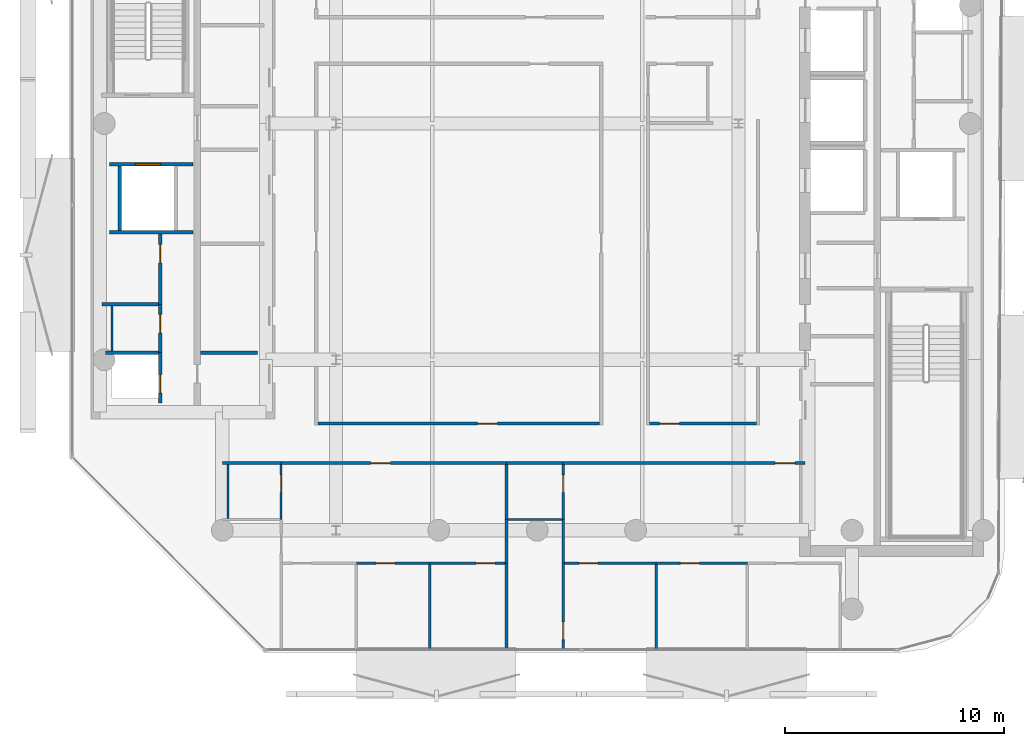
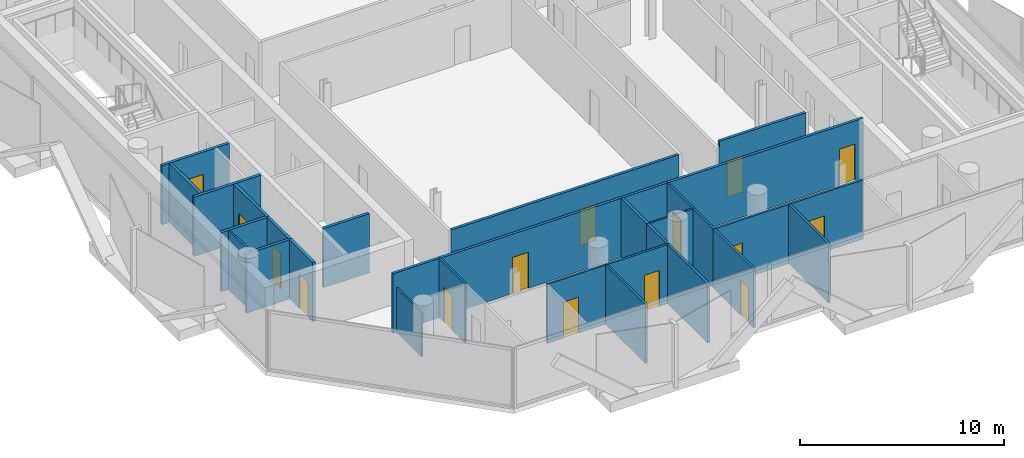
# One storey, part 4 of 17: 31 walls, 15 doors, 15 openings.
"""IFC4 building model written with IfcOpenShell, lengths in metres."""

from ifc_helpers import new_model, si_unit, direction, frame, frame_2d, origin, place, context, subcontext, project, spatial, rectangle, extrude, material, layer, layer_set, type_object, element, fill, save


model = new_model("IFC4")

# Units and contexts
model_context = context("Model", 3, precision=1e-05, world=origin(), true_north=direction((0.0, 1.0)))
body_context = subcontext(model_context, "Body", "Model", "MODEL_VIEW")
ifc_project = project(units=[si_unit("LENGTHUNIT", "METRE"), si_unit("AREAUNIT", "SQUARE_METRE"), si_unit("VOLUMEUNIT", "CUBIC_METRE"), si_unit("PLANEANGLEUNIT", "RADIAN"), si_unit("MASSUNIT", "GRAM", prefix="KILO")], contexts=[model_context])

# Site, building, storey
site_placement = place(None, origin())
site = spatial("IfcSite", under=ifc_project, at=site_placement, CompositionType="ELEMENT")
building_placement = place(site_placement, origin())
building = spatial("IfcBuilding", under=site, at=building_placement, Name="Khairoan Windgate Tower", CompositionType="ELEMENT")
storey_placement = place(building_placement, frame((0.0, 0.0, 308.0)))
storey = spatial("IfcBuildingStorey", under=building, at=storey_placement, Name="L74", CompositionType="ELEMENT", Elevation=308.0)

# Wall, opening, door
ifc_material_1 = material(Name="Moisture-Resistant Gypsum Partition", Category="gypsum")
ifc_layer_1 = layer(ifc_material_1, 0.10009765625, Name="Moisture-Resistant Gypsum Partition")
ifc_layer_set_1 = layer_set([ifc_layer_1], Name="Moisture-Resistant Gypsum Partition")
wall_type_1 = type_object("IfcWallType", Name="Bathroom Wet-Area Partition Wall", PredefinedType="PARTITIONING", material=ifc_layer_set_1)
wall_1_placement = place(storey_placement, frame((-11.7099609375, -18.10009765625, 0.0), z_axis=(0.0, 0.0, 1.0), x_axis=(0.0, 1.0, 0.0)))
wall_1 = element("IfcWall", 1, at=wall_1_placement, inside=storey, type_object=wall_type_1, Name="L74 Interior Partition 063", PredefinedType="PARTITIONING", context=body_context, shape_type="SweptSolid", body=[
    extrude(rectangle(XDim=2.5, YDim=0.10009765625, at=frame_2d((1.25, 0.0))), origin(), (0.0, 0.0, 1.0), 3.5400390625),
])
opening_1_placement = place(wall_1_placement, frame((1.239990234375, 0.0, 0.0)))
opening_1 = element("IfcOpeningElement", 2, at=opening_1_placement, cuts=wall_1, Name="Opening ID-BTH", PredefinedType="OPENING", context=body_context, shape_type="SweptSolid", body=[
    extrude(rectangle(XDim=0.800048828125, YDim=2.10009765625, at=frame_2d((0.39990234375, 1.050048828125))), frame((0.0, 0.06005859375, 0.0), z_axis=(0.0, -1.0, 0.0), x_axis=(1.0, 0.0, 0.0)), (0.0, 0.0, 1.0), 0.1201171875),
])
ifc_material_2 = material(Name="Teak Veneer Timber Leaf", Category="wood")
door_type_1 = type_object("IfcDoorType", Name="Internal Bathroom Door ID-BTH 800x2100", OperationType="NOTDEFINED", PredefinedType="DOOR", material=ifc_material_2)
door_1_placement = place(opening_1_placement, origin())
door_1 = element("IfcDoor", 3, at=door_1_placement, inside=storey, type_object=door_type_1, Name="L74 L74-48-L74-50 Door", OperationType="SINGLE_SWING_RIGHT", OverallHeight=2.10009765625, OverallWidth=0.800048828125, PredefinedType="DOOR", context=body_context, shape_type="SweptSolid", body=[
    extrude(rectangle(XDim=0.800048828125, YDim=2.10009765625, at=frame_2d((0.39990234375, 1.050048828125))), frame((0.0, 0.02490234375, 0.0), z_axis=(0.0, -1.0, 0.0), x_axis=(1.0, 0.0, 0.0)), (0.0, 0.0, 1.0), 0.050048828125),
])
fill(opening_1, door_1)

# Wall
wall_2_placement = place(storey_placement, frame((-1.330078125, -18.10009765625, 0.0), z_axis=(0.0, 0.0, 1.0), x_axis=(1.0, 0.0, 0.0)))
element("IfcWall", 4, at=wall_2_placement, inside=storey, type_object=wall_type_1, Name="L74 Interior Partition 074", PredefinedType="PARTITIONING", context=body_context, shape_type="SweptSolid", body=[
    extrude(rectangle(XDim=2.469970703125, YDim=0.10009765625, at=frame_2d((1.23486328125, 0.0))), origin(), (0.0, 0.0, 1.0), 3.5400390625),
])

# Wall, opening, door
wall_3_placement = place(storey_placement, frame((1.18994140625, -18.10009765625, 0.0), z_axis=(0.0, 0.0, 1.0), x_axis=(0.0, 1.0, 0.0)))
wall_3 = element("IfcWall", 5, at=wall_3_placement, inside=storey, type_object=wall_type_1, Name="L74 Interior Partition 075", PredefinedType="PARTITIONING", context=body_context, shape_type="SweptSolid", body=[
    extrude(rectangle(XDim=2.5, YDim=0.10009765625, at=frame_2d((1.25, 0.0))), origin(), (0.0, 0.0, 1.0), 3.5400390625),
])
opening_2_placement = place(wall_3_placement, frame((1.239990234375, 0.0, 0.0)))
opening_2 = element("IfcOpeningElement", 6, at=opening_2_placement, cuts=wall_3, Name="Opening ID-BTH", PredefinedType="OPENING", context=body_context, shape_type="SweptSolid", body=[
    extrude(rectangle(XDim=0.800048828125, YDim=2.10009765625, at=frame_2d((0.39990234375, 1.050048828125))), frame((0.0, 0.06005859375, 0.0), z_axis=(0.0, -1.0, 0.0), x_axis=(1.0, 0.0, 0.0)), (0.0, 0.0, 1.0), 0.1201171875),
])
door_2_placement = place(opening_2_placement, origin())
door_2 = element("IfcDoor", 7, at=door_2_placement, inside=storey, type_object=door_type_1, Name="L74 L74-54-L74-56 Door", OperationType="SINGLE_SWING_LEFT", OverallHeight=2.10009765625, OverallWidth=0.800048828125, PredefinedType="DOOR", context=body_context, shape_type="SweptSolid", body=[
    extrude(rectangle(XDim=0.800048828125, YDim=2.10009765625, at=frame_2d((0.39990234375, 1.050048828125))), frame((0.0, 0.02490234375, 0.0), z_axis=(0.0, -1.0, 0.0), x_axis=(1.0, 0.0, 0.0)), (0.0, 0.0, 1.0), 0.050048828125),
])
fill(opening_2, door_2)

# Walls
wall_4_placement = place(storey_placement, frame((-19.449951171875, -10.389892578125, 0.0), z_axis=(0.0, 0.0, 1.0), x_axis=(0.0, 1.0, 0.0)))
element("IfcWall", 8, at=wall_4_placement, inside=storey, type_object=wall_type_1, Name="L74 Wet Room Side Wall 085", PredefinedType="PARTITIONING", context=body_context, shape_type="SweptSolid", body=[
    extrude(rectangle(XDim=2.039794921875, YDim=0.10009765625, at=frame_2d((1.02001953125, 0.0))), origin(), (0.0, 0.0, 1.0), 3.5400390625),
])
wall_5_placement = place(storey_placement, frame((-14.139892578125, -18.050048828125, 0.0), z_axis=(0.0, 0.0, 1.0), x_axis=(0.0, 1.0, 0.0)))
element("IfcWall", 9, at=wall_5_placement, inside=storey, type_object=wall_type_1, Name="L74 Wet Room Side Wall 088", PredefinedType="PARTITIONING", context=body_context, shape_type="SweptSolid", body=[
    extrude(rectangle(XDim=2.449951171875, YDim=0.10009765625, at=frame_2d((1.22509765625, 0.0))), origin(), (0.0, 0.0, 1.0), 2.639892578125),
])

# Wall, opening, door
ifc_material_3 = material(Name="Concrete C40/50", Category="concrete")
ifc_layer_2 = layer(ifc_material_3, 0.159912109375, Name="Concrete C40/50")
ifc_layer_set_2 = layer_set([ifc_layer_2], Name="Concrete C40/50")
wall_type_2 = type_object("IfcWallType", Name="Core and Hoistway Enclosure Wall", PredefinedType="STANDARD", material=ifc_layer_set_2)
wall_6_placement = place(storey_placement, frame((-19.550048828125, -1.860107421875, 0.0), z_axis=(0.0, 0.0, 1.0), x_axis=(1.0, 0.0, 0.0)))
wall_6 = element("IfcWall", 10, at=wall_6_placement, inside=storey, type_object=wall_type_2, Name="L74 Core Shaft Wall SW-FL2-L74", PredefinedType="STANDARD", context=body_context, shape_type="SweptSolid", body=[
    extrude(rectangle(XDim=3.800048828125, YDim=0.159912109375, at=frame_2d((1.89990234375, 0.0))), origin(), (0.0, 0.0, 1.0), 3.5400390625),
])
opening_3_placement = place(wall_6_placement, frame((1.179931640625, 0.0, 0.0)))
opening_3 = element("IfcOpeningElement", 11, at=opening_3_placement, cuts=wall_6, Name="Opening LD-FL", PredefinedType="OPENING", context=body_context, shape_type="SweptSolid", body=[
    extrude(rectangle(XDim=1.14990234375, YDim=2.199951171875, at=frame_2d((0.574951171875, 1.10009765625))), frame((0.0, 0.08984375, 0.0), z_axis=(0.0, -1.0, 0.0), x_axis=(1.0, 0.0, 0.0)), (0.0, 0.0, 1.0), 0.179931640625),
])
ifc_material_4 = material(Name="Steel S355", Category="steel")
door_type_2 = type_object("IfcDoorType", Name="Firefighting Lift Sliding Landing Door LD-FL 1150x2200", OperationType="DOUBLE_DOOR_SLIDING", PredefinedType="DOOR", material=ifc_material_4)
door_3_placement = place(opening_3_placement, origin())
door_3 = element("IfcDoor", 12, at=door_3_placement, inside=storey, type_object=door_type_2, Name="L74 Firefighting Lift FL2 Landing Door", OperationType="DOUBLE_DOOR_SLIDING", OverallHeight=2.199951171875, OverallWidth=1.14990234375, PredefinedType="DOOR", context=body_context, shape_type="SweptSolid", body=[
    extrude(rectangle(XDim=1.14990234375, YDim=2.199951171875, at=frame_2d((0.574951171875, 1.10009765625))), frame((0.0, 0.02490234375, 0.0), z_axis=(0.0, -1.0, 0.0), x_axis=(1.0, 0.0, 0.0)), (0.0, 0.0, 1.0), 0.050048828125),
])
fill(opening_3, door_3)

# Walls
wall_7_placement = place(storey_placement, frame((-19.550048828125, -4.97998046875, 0.0), z_axis=(0.0, 0.0, 1.0), x_axis=(1.0, 0.0, 0.0)))
element("IfcWall", 13, at=wall_7_placement, inside=storey, type_object=wall_type_2, Name="L74 Core Shaft Wall SW-FL2B-L74", PredefinedType="STANDARD", context=body_context, shape_type="SweptSolid", body=[
    extrude(rectangle(XDim=3.800048828125, YDim=0.159912109375, at=frame_2d((1.89990234375, 0.0))), origin(), (0.0, 0.0, 1.0), 3.5400390625),
])
wall_8_placement = place(storey_placement, frame((-19.080078125, -4.89990234375, 0.0), z_axis=(0.0, 0.0, 1.0), x_axis=(0.0, 1.0, 0.0)))
element("IfcWall", 14, at=wall_8_placement, inside=storey, type_object=wall_type_2, Name="L74 Core Shaft Wall SW-FL2W-L74", PredefinedType="STANDARD", context=body_context, shape_type="SweptSolid", body=[
    extrude(rectangle(XDim=2.9599609375, YDim=0.159912109375, at=frame_2d((1.47998046875, 0.0))), origin(), (0.0, 0.0, 1.0), 3.5400390625),
])
wall_9_placement = place(storey_placement, frame((-15.39990234375, -10.47998046875, 0.0), z_axis=(0.0, 0.0, 1.0), x_axis=(1.0, 0.0, 0.0)))
element("IfcWall", 15, at=wall_9_placement, inside=storey, type_object=wall_type_2, Name="L74 Core Shaft Wall SW-WSV-L74", PredefinedType="STANDARD", context=body_context, shape_type="SweptSolid", body=[
    extrude(rectangle(XDim=2.599853515625, YDim=0.159912109375, at=frame_2d((1.2998046875, 0.0))), origin(), (0.0, 0.0, 1.0), 3.5400390625),
])
ifc_material_5 = material(Name="Acoustic Fire-Rated Gypsum Partition", Category="gypsum")
ifc_layer_3 = layer(ifc_material_5, 0.139892578125, Name="Acoustic Fire-Rated Gypsum Partition")
ifc_layer_set_3 = layer_set([ifc_layer_3], Name="Acoustic Fire-Rated Gypsum Partition")
wall_type_3 = type_object("IfcWallType", Name="Inter-Tenancy Compartment Wall", PredefinedType="PARTITIONING", material=ifc_layer_set_3)
wall_10_placement = place(storey_placement, frame((-1.39990234375, -18.10009765625, 0.0), z_axis=(0.0, 0.0, 1.0), x_axis=(0.0, 1.0, 0.0)))
element("IfcWall", 16, at=wall_10_placement, inside=storey, type_object=wall_type_3, Name="L74 Interior Partition 069", PredefinedType="PARTITIONING", context=body_context, shape_type="SweptSolid", body=[
    extrude(rectangle(XDim=2.5, YDim=0.139892578125, at=frame_2d((1.25, 0.0))), origin(), (0.0, 0.0, 1.0), 3.5400390625),
])
wall_11_placement = place(storey_placement, frame((-1.39990234375, -20.10009765625, 0.0), z_axis=(0.0, 0.0, 1.0), x_axis=(0.0, 1.0, 0.0)))
element("IfcWall", 17, at=wall_11_placement, inside=storey, type_object=wall_type_3, Name="L74 Interior Partition 070", PredefinedType="PARTITIONING", context=body_context, shape_type="SweptSolid", body=[
    extrude(rectangle(XDim=2.0, YDim=0.139892578125, at=frame_2d((1.0, 0.0))), origin(), (0.0, 0.0, 1.0), 3.5400390625),
])
wall_12_placement = place(storey_placement, frame((-1.39990234375, -24.054931640625, 0.0), z_axis=(0.0, 0.0, 1.0), x_axis=(0.0, 1.0, 0.0)))
element("IfcWall", 18, at=wall_12_placement, inside=storey, type_object=wall_type_3, Name="L74 Interior Partition 073", PredefinedType="PARTITIONING", context=body_context, shape_type="SweptSolid", body=[
    extrude(rectangle(XDim=3.954833984375, YDim=0.139892578125, at=frame_2d((1.9775390625, 0.0))), origin(), (0.0, 0.0, 1.0), 3.5400390625),
])

# Wall, opening, door
ifc_material_6 = material(Name="Gypsum Stud Partition", Category="gypsum")
ifc_layer_4 = layer(ifc_material_6, 0.1201171875, Name="Gypsum Stud Partition")
ifc_layer_set_4 = layer_set([ifc_layer_4], Name="Gypsum Stud Partition")
wall_type_4 = type_object("IfcWallType", Name="Internal Room Partition Wall", PredefinedType="PARTITIONING", material=ifc_layer_set_4)
wall_13_placement = place(storey_placement, frame((-8.27294921875, -20.10009765625, 0.0), z_axis=(0.0, 0.0, 1.0), x_axis=(1.0, 0.0, 0.0)))
wall_13 = element("IfcWall", 19, at=wall_13_placement, inside=storey, type_object=wall_type_4, Name="L74 Interior Partition 067", PredefinedType="PARTITIONING", context=body_context, shape_type="SweptSolid", body=[
    extrude(rectangle(XDim=3.35595703125, YDim=0.1201171875, at=frame_2d((1.677978515625, 0.0))), origin(), (0.0, 0.0, 1.0), 3.5400390625),
])
opening_4_placement = place(wall_13_placement, frame((0.910400390625, 0.0, 0.0)))
opening_4 = element("IfcOpeningElement", 20, at=opening_4_placement, cuts=wall_13, Name="Opening ID-RM", PredefinedType="OPENING", context=body_context, shape_type="SweptSolid", body=[
    extrude(rectangle(XDim=0.860107421875, YDim=2.14990234375, at=frame_2d((0.43017578125, 1.074951171875))), frame((0.0, 0.070068359375, 0.0), z_axis=(0.0, -1.0, 0.0), x_axis=(1.0, 0.0, 0.0)), (0.0, 0.0, 1.0), 0.14013671875),
])
ifc_material_7 = material(Name="Teak Veneer Timber Leaf", Category="wood")
door_type_3 = type_object("IfcDoorType", Name="Internal Bedroom and Office Door ID-RM 860x2150", OperationType="NOTDEFINED", PredefinedType="DOOR", material=ifc_material_7)
door_4_placement = place(opening_4_placement, origin())
door_4 = element("IfcDoor", 21, at=door_4_placement, inside=storey, type_object=door_type_3, Name="L74 L74-50-L74-52 Door", OperationType="SINGLE_SWING_LEFT", OverallHeight=2.14990234375, OverallWidth=0.860107421875, PredefinedType="DOOR", context=body_context, shape_type="SweptSolid", body=[
    extrude(rectangle(XDim=0.860107421875, YDim=2.14990234375, at=frame_2d((0.43017578125, 1.074951171875))), frame((0.0, 0.02490234375, 0.0), z_axis=(0.0, -1.0, 0.0), x_axis=(1.0, 0.0, 0.0)), (0.0, 0.0, 1.0), 0.050048828125),
])
fill(opening_4, door_4)

wall_14_placement = place(storey_placement, frame((-4.9169921875, -20.10009765625, 0.0), z_axis=(0.0, 0.0, 1.0), x_axis=(1.0, 0.0, 0.0)))
wall_14 = element("IfcWall", 22, at=wall_14_placement, inside=storey, type_object=wall_type_4, Name="L74 Interior Partition 068", PredefinedType="PARTITIONING", context=body_context, shape_type="SweptSolid", body=[
    extrude(rectangle(XDim=3.447021484375, YDim=0.1201171875, at=frame_2d((1.7236328125, 0.0))), origin(), (0.0, 0.0, 1.0), 3.5400390625),
])
opening_5_placement = place(wall_14_placement, frame((2.126953125, 0.0, 0.0)))
opening_5 = element("IfcOpeningElement", 23, at=opening_5_placement, cuts=wall_14, Name="Opening ID-RM", PredefinedType="OPENING", context=body_context, shape_type="SweptSolid", body=[
    extrude(rectangle(XDim=0.860107421875, YDim=2.14990234375, at=frame_2d((0.43017578125, 1.074951171875))), frame((0.0, 0.070068359375, 0.0), z_axis=(0.0, -1.0, 0.0), x_axis=(1.0, 0.0, 0.0)), (0.0, 0.0, 1.0), 0.14013671875),
])
door_5_placement = place(opening_5_placement, origin())
door_5 = element("IfcDoor", 24, at=door_5_placement, inside=storey, type_object=door_type_3, Name="L74 L74-50-L74-53 Door", OperationType="SINGLE_SWING_RIGHT", OverallHeight=2.14990234375, OverallWidth=0.860107421875, PredefinedType="DOOR", context=body_context, shape_type="SweptSolid", body=[
    extrude(rectangle(XDim=0.860107421875, YDim=2.14990234375, at=frame_2d((0.43017578125, 1.074951171875))), frame((0.0, 0.02490234375, 0.0), z_axis=(0.0, -1.0, 0.0), x_axis=(1.0, 0.0, 0.0)), (0.0, 0.0, 1.0), 0.050048828125),
])
fill(opening_5, door_5)

# Walls
wall_15_placement = place(storey_placement, frame((-4.9169921875, -24.054931640625, 0.0), z_axis=(0.0, 0.0, 1.0), x_axis=(0.0, 1.0, 0.0)))
element("IfcWall", 25, at=wall_15_placement, inside=storey, type_object=wall_type_4, Name="L74 Interior Partition 072", PredefinedType="PARTITIONING", context=body_context, shape_type="SweptSolid", body=[
    extrude(rectangle(XDim=3.89501953125, YDim=0.1201171875, at=frame_2d((1.947509765625, 0.0))), origin(), (0.0, 0.0, 1.0), 3.5400390625),
])
wall_16_placement = place(storey_placement, frame((1.18994140625, -20.10009765625, 0.0), z_axis=(0.0, 0.0, 1.0), x_axis=(0.0, 1.0, 0.0)))
element("IfcWall", 26, at=wall_16_placement, inside=storey, type_object=wall_type_4, Name="L74 Interior Partition 076", PredefinedType="PARTITIONING", context=body_context, shape_type="SweptSolid", body=[
    extrude(rectangle(XDim=2.0, YDim=0.1201171875, at=frame_2d((1.0, 0.0))), origin(), (0.0, 0.0, 1.0), 3.5400390625),
])

# Wall, opening, door
wall_17_placement = place(storey_placement, frame((1.18994140625, -24.054931640625, 0.0), z_axis=(0.0, 0.0, 1.0), x_axis=(0.0, 1.0, 0.0)))
wall_17 = element("IfcWall", 27, at=wall_17_placement, inside=storey, type_object=wall_type_4, Name="L74 Interior Partition 077", PredefinedType="PARTITIONING", context=body_context, shape_type="SweptSolid", body=[
    extrude(rectangle(XDim=3.954833984375, YDim=0.1201171875, at=frame_2d((1.9775390625, 0.0))), origin(), (0.0, 0.0, 1.0), 3.5400390625),
])
opening_6_placement = place(wall_17_placement, frame((0.4599609375, 0.0, 0.0)))
opening_6 = element("IfcOpeningElement", 28, at=opening_6_placement, cuts=wall_17, Name="Opening ID-BTH", PredefinedType="OPENING", context=body_context, shape_type="SweptSolid", body=[
    extrude(rectangle(XDim=0.800048828125, YDim=2.10009765625, at=frame_2d((0.39990234375, 1.050048828125))), frame((0.0, 0.070068359375, 0.0), z_axis=(0.0, -1.0, 0.0), x_axis=(1.0, 0.0, 0.0)), (0.0, 0.0, 1.0), 0.14013671875),
])
door_6_placement = place(opening_6_placement, origin())
door_6 = element("IfcDoor", 29, at=door_6_placement, inside=storey, type_object=door_type_1, Name="L74 L74-55-L74-58 Door", OperationType="SINGLE_SWING_LEFT", OverallHeight=2.10009765625, OverallWidth=0.800048828125, PredefinedType="DOOR", context=body_context, shape_type="SweptSolid", body=[
    extrude(rectangle(XDim=0.800048828125, YDim=2.10009765625, at=frame_2d((0.39990234375, 1.050048828125))), frame((0.0, 0.02490234375, 0.0), z_axis=(0.0, -1.0, 0.0), x_axis=(1.0, 0.0, 0.0)), (0.0, 0.0, 1.0), 0.050048828125),
])
fill(opening_6, door_6)

wall_18_placement = place(storey_placement, frame((1.25, -20.10009765625, 0.0), z_axis=(0.0, 0.0, 1.0), x_axis=(1.0, 0.0, 0.0)))
wall_18 = element("IfcWall", 30, at=wall_18_placement, inside=storey, type_object=wall_type_4, Name="L74 Interior Partition 078", PredefinedType="PARTITIONING", context=body_context, shape_type="SweptSolid", body=[
    extrude(rectangle(XDim=4.18994140625, YDim=0.1201171875, at=frame_2d((2.094970703125, 0.0))), origin(), (0.0, 0.0, 1.0), 3.5400390625),
])
opening_7_placement = place(wall_18_placement, frame((0.660888671875, 0.0, 0.0)))
opening_7 = element("IfcOpeningElement", 31, at=opening_7_placement, cuts=wall_18, Name="Opening ID-RM", PredefinedType="OPENING", context=body_context, shape_type="SweptSolid", body=[
    extrude(rectangle(XDim=0.860107421875, YDim=2.14990234375, at=frame_2d((0.43017578125, 1.074951171875))), frame((0.0, 0.070068359375, 0.0), z_axis=(0.0, -1.0, 0.0), x_axis=(1.0, 0.0, 0.0)), (0.0, 0.0, 1.0), 0.14013671875),
])
door_7_placement = place(opening_7_placement, origin())
door_7 = element("IfcDoor", 32, at=door_7_placement, inside=storey, type_object=door_type_3, Name="L74 L74-56-L74-58 Door", OperationType="SINGLE_SWING_LEFT", OverallHeight=2.14990234375, OverallWidth=0.860107421875, PredefinedType="DOOR", context=body_context, shape_type="SweptSolid", body=[
    extrude(rectangle(XDim=0.860107421875, YDim=2.14990234375, at=frame_2d((0.43017578125, 1.074951171875))), frame((0.0, 0.02490234375, 0.0), z_axis=(0.0, -1.0, 0.0), x_axis=(1.0, 0.0, 0.0)), (0.0, 0.0, 1.0), 0.050048828125),
])
fill(opening_7, door_7)

wall_19_placement = place(storey_placement, frame((5.43994140625, -20.10009765625, 0.0), z_axis=(0.0, 0.0, 1.0), x_axis=(1.0, 0.0, 0.0)))
wall_19 = element("IfcWall", 33, at=wall_19_placement, inside=storey, type_object=wall_type_4, Name="L74 Interior Partition 079", PredefinedType="PARTITIONING", context=body_context, shape_type="SweptSolid", body=[
    extrude(rectangle(XDim=4.170166015625, YDim=0.1201171875, at=frame_2d((2.0849609375, 0.0))), origin(), (0.0, 0.0, 1.0), 3.5400390625),
])
opening_8_placement = place(wall_19_placement, frame((1.11181640625, 0.0, 0.0)))
opening_8 = element("IfcOpeningElement", 34, at=opening_8_placement, cuts=wall_19, Name="Opening ID-RM", PredefinedType="OPENING", context=body_context, shape_type="SweptSolid", body=[
    extrude(rectangle(XDim=0.860107421875, YDim=2.14990234375, at=frame_2d((0.43017578125, 1.074951171875))), frame((0.0, 0.070068359375, 0.0), z_axis=(0.0, -1.0, 0.0), x_axis=(1.0, 0.0, 0.0)), (0.0, 0.0, 1.0), 0.14013671875),
])
door_8_placement = place(opening_8_placement, origin())
door_8 = element("IfcDoor", 35, at=door_8_placement, inside=storey, type_object=door_type_3, Name="L74 L74-56-L74-59 Door", OperationType="SINGLE_SWING_RIGHT", OverallHeight=2.14990234375, OverallWidth=0.860107421875, PredefinedType="DOOR", context=body_context, shape_type="SweptSolid", body=[
    extrude(rectangle(XDim=0.860107421875, YDim=2.14990234375, at=frame_2d((0.43017578125, 1.074951171875))), frame((0.0, 0.02490234375, 0.0), z_axis=(0.0, -1.0, 0.0), x_axis=(1.0, 0.0, 0.0)), (0.0, 0.0, 1.0), 0.050048828125),
])
fill(opening_8, door_8)

# Wall
wall_20_placement = place(storey_placement, frame((5.43994140625, -24.054931640625, 0.0), z_axis=(0.0, 0.0, 1.0), x_axis=(0.0, 1.0, 0.0)))
element("IfcWall", 36, at=wall_20_placement, inside=storey, type_object=wall_type_4, Name="L74 Interior Partition 082", PredefinedType="PARTITIONING", context=body_context, shape_type="SweptSolid", body=[
    extrude(rectangle(XDim=3.89501953125, YDim=0.1201171875, at=frame_2d((1.947509765625, 0.0))), origin(), (0.0, 0.0, 1.0), 3.5400390625),
])

# Wall, opening, door
ifc_material_8 = material(Name="Concrete C40/50", Category="concrete")
ifc_layer_5 = layer(ifc_material_8, 0.159912109375, Name="Concrete C40/50")
ifc_layer_set_5 = layer_set([ifc_layer_5], Name="Concrete C40/50")
wall_type_5 = type_object("IfcWallType", Name="Plant and Refuge Compartment Wall", PredefinedType="PARTITIONING", material=ifc_layer_set_5)
wall_21_placement = place(storey_placement, frame((-17.22998046875, -12.7900390625, 0.0), z_axis=(0.0, 0.0, 1.0), x_axis=(0.0, 1.0, 0.0)))
wall_21 = element("IfcWall", 37, at=wall_21_placement, inside=storey, type_object=wall_type_5, Name="L74 Interior Partition 001", PredefinedType="PARTITIONING", context=body_context, shape_type="SweptSolid", body=[
    extrude(rectangle(XDim=2.320068359375, YDim=0.159912109375, at=frame_2d((1.16015625, 0.0))), origin(), (0.0, 0.0, 1.0), 3.5400390625),
])
opening_9_placement = place(wall_21_placement, frame((0.4599609375, 0.0, 0.0)))
opening_9 = element("IfcOpeningElement", 38, at=opening_9_placement, cuts=wall_21, Name="Opening FD-SRV", PredefinedType="OPENING", context=body_context, shape_type="SweptSolid", body=[
    extrude(rectangle(XDim=0.85009765625, YDim=2.10009765625, at=frame_2d((0.425048828125, 1.050048828125))), frame((0.0, 0.08984375, 0.0), z_axis=(0.0, -1.0, 0.0), x_axis=(1.0, 0.0, 0.0)), (0.0, 0.0, 1.0), 0.179931640625),
])
ifc_material_9 = material(Name="Steel S355", Category="steel")
door_type_4 = type_object("IfcDoorType", Name="Core Service and Riser Fire Door FD-SRV 850x2100", OperationType="NOTDEFINED", PredefinedType="DOOR", material=ifc_material_9)
door_9_placement = place(opening_9_placement, origin())
door_9 = element("IfcDoor", 39, at=door_9_placement, inside=storey, type_object=door_type_4, Name="L74 L74-04-L74-05 Door", OperationType="SINGLE_SWING_LEFT", OverallHeight=2.10009765625, OverallWidth=0.85009765625, PredefinedType="DOOR", context=body_context, shape_type="SweptSolid", body=[
    extrude(rectangle(XDim=0.85009765625, YDim=2.10009765625, at=frame_2d((0.425048828125, 1.050048828125))), frame((0.0, 0.02490234375, 0.0), z_axis=(0.0, -1.0, 0.0), x_axis=(1.0, 0.0, 0.0)), (0.0, 0.0, 1.0), 0.050048828125),
])
fill(opening_9, door_9)

wall_22_placement = place(storey_placement, frame((-17.22998046875, -10.469970703125, 0.0), z_axis=(0.0, 0.0, 1.0), x_axis=(0.0, 1.0, 0.0)))
wall_22 = element("IfcWall", 40, at=wall_22_placement, inside=storey, type_object=wall_type_5, Name="L74 Interior Partition 002", PredefinedType="PARTITIONING", context=body_context, shape_type="SweptSolid", body=[
    extrude(rectangle(XDim=2.199951171875, YDim=0.159912109375, at=frame_2d((1.10009765625, 0.0))), origin(), (0.0, 0.0, 1.0), 3.5400390625),
])
opening_10_placement = place(wall_22_placement, frame((0.889892578125, 0.0, 0.0)))
opening_10 = element("IfcOpeningElement", 41, at=opening_10_placement, cuts=wall_22, Name="Opening FD-SRV", PredefinedType="OPENING", context=body_context, shape_type="SweptSolid", body=[
    extrude(rectangle(XDim=0.85009765625, YDim=2.10009765625, at=frame_2d((0.425048828125, 1.050048828125))), frame((0.0, 0.08984375, 0.0), z_axis=(0.0, -1.0, 0.0), x_axis=(1.0, 0.0, 0.0)), (0.0, 0.0, 1.0), 0.179931640625),
])
door_10_placement = place(opening_10_placement, origin())
door_10 = element("IfcDoor", 42, at=door_10_placement, inside=storey, type_object=door_type_4, Name="L74 L74-04-L74-06 Door", OperationType="SINGLE_SWING_RIGHT", OverallHeight=2.10009765625, OverallWidth=0.85009765625, PredefinedType="DOOR", context=body_context, shape_type="SweptSolid", body=[
    extrude(rectangle(XDim=0.85009765625, YDim=2.10009765625, at=frame_2d((0.425048828125, 1.050048828125))), frame((0.0, 0.02490234375, 0.0), z_axis=(0.0, -1.0, 0.0), x_axis=(1.0, 0.0, 0.0)), (0.0, 0.0, 1.0), 0.050048828125),
])
fill(opening_10, door_10)

wall_23_placement = place(storey_placement, frame((-17.22998046875, -8.27001953125, 0.0), z_axis=(0.0, 0.0, 1.0), x_axis=(0.0, 1.0, 0.0)))
wall_23 = element("IfcWall", 43, at=wall_23_placement, inside=storey, type_object=wall_type_5, Name="L74 Interior Partition 003", PredefinedType="PARTITIONING", context=body_context, shape_type="SweptSolid", body=[
    extrude(rectangle(XDim=3.2099609375, YDim=0.159912109375, at=frame_2d((1.60498046875, 0.0))), origin(), (0.0, 0.0, 1.0), 3.5400390625),
])
opening_11_placement = place(wall_23_placement, frame((1.89990234375, 0.0, 0.0)))
opening_11 = element("IfcOpeningElement", 44, at=opening_11_placement, cuts=wall_23, Name="Opening FD-SRV", PredefinedType="OPENING", context=body_context, shape_type="SweptSolid", body=[
    extrude(rectangle(XDim=0.85009765625, YDim=2.10009765625, at=frame_2d((0.425048828125, 1.050048828125))), frame((0.0, 0.08984375, 0.0), z_axis=(0.0, -1.0, 0.0), x_axis=(1.0, 0.0, 0.0)), (0.0, 0.0, 1.0), 0.179931640625),
])
door_11_placement = place(opening_11_placement, origin())
door_11 = element("IfcDoor", 45, at=door_11_placement, inside=storey, type_object=door_type_4, Name="L74 L74-04-L74-07 Door", OperationType="SINGLE_SWING_LEFT", OverallHeight=2.10009765625, OverallWidth=0.85009765625, PredefinedType="DOOR", context=body_context, shape_type="SweptSolid", body=[
    extrude(rectangle(XDim=0.85009765625, YDim=2.10009765625, at=frame_2d((0.425048828125, 1.050048828125))), frame((0.0, 0.02490234375, 0.0), z_axis=(0.0, -1.0, 0.0), x_axis=(1.0, 0.0, 0.0)), (0.0, 0.0, 1.0), 0.050048828125),
])
fill(opening_11, door_11)

# Walls
wall_24_placement = place(storey_placement, frame((-19.75, -10.469970703125, 0.0), z_axis=(0.0, 0.0, 1.0), x_axis=(1.0, 0.0, 0.0)))
element("IfcWall", 46, at=wall_24_placement, inside=storey, type_object=wall_type_5, Name="L74 Interior Partition 004", PredefinedType="PARTITIONING", context=body_context, shape_type="SweptSolid", body=[
    extrude(rectangle(XDim=2.43994140625, YDim=0.159912109375, at=frame_2d((1.219970703125, 0.0))), origin(), (0.0, 0.0, 1.0), 3.5400390625),
])
wall_25_placement = place(storey_placement, frame((-19.89990234375, -8.27001953125, 0.0), z_axis=(0.0, 0.0, 1.0), x_axis=(1.0, 0.0, 0.0)))
element("IfcWall", 47, at=wall_25_placement, inside=storey, type_object=wall_type_5, Name="L74 Interior Partition 005", PredefinedType="PARTITIONING", context=body_context, shape_type="SweptSolid", body=[
    extrude(rectangle(XDim=2.58984375, YDim=0.159912109375, at=frame_2d((1.294921875, 0.0))), origin(), (0.0, 0.0, 1.0), 3.5400390625),
])
ifc_material_10 = material(Name="Acoustic Fire-Rated Gypsum Partition", Category="gypsum")
ifc_layer_6 = layer(ifc_material_10, 0.14990234375, Name="Acoustic Fire-Rated Gypsum Partition")
ifc_layer_set_6 = layer_set([ifc_layer_6], Name="Acoustic Fire-Rated Gypsum Partition")
wall_type_6 = type_object("IfcWallType", Name="Rated Corridor Partition Wall", PredefinedType="PARTITIONING", material=ifc_layer_set_6)
wall_26_placement = place(storey_placement, frame((-14.3798828125, -15.52490234375, 0.0), z_axis=(0.0, 0.0, 1.0), x_axis=(1.0, 0.0, 0.0)))
element("IfcWall", 48, at=wall_26_placement, inside=storey, type_object=wall_type_6, Name="L74 Interior Partition 034", PredefinedType="PARTITIONING", context=body_context, shape_type="SweptSolid", body=[
    extrude(rectangle(XDim=2.669921875, YDim=0.14990234375, at=frame_2d((1.3349609375, 0.0))), origin(), (0.0, 0.0, 1.0), 3.5400390625),
])

# Wall, opening, door
wall_27_placement = place(storey_placement, frame((-11.7099609375, -15.52490234375, 0.0), z_axis=(0.0, 0.0, 1.0), x_axis=(1.0, 0.0, 0.0)))
wall_27 = element("IfcWall", 49, at=wall_27_placement, inside=storey, type_object=wall_type_6, Name="L74 Interior Partition 035", PredefinedType="PARTITIONING", context=body_context, shape_type="SweptSolid", body=[
    extrude(rectangle(XDim=10.31005859375, YDim=0.14990234375, at=frame_2d((5.155029296875, 0.0))), origin(), (0.0, 0.0, 1.0), 3.5400390625),
])
opening_12_placement = place(wall_27_placement, frame((4.0986328125, 0.0, 0.0)))
opening_12 = element("IfcOpeningElement", 50, at=opening_12_placement, cuts=wall_27, Name="Opening FD-ENT", PredefinedType="OPENING", context=body_context, shape_type="SweptSolid", body=[
    extrude(rectangle(XDim=0.89990234375, YDim=2.14990234375, at=frame_2d((0.449951171875, 1.074951171875))), frame((0.0, 0.0849609375, 0.0), z_axis=(0.0, -1.0, 0.0), x_axis=(1.0, 0.0, 0.0)), (0.0, 0.0, 1.0), 0.169921875),
])
ifc_material_11 = material(Name="Timber Fire-Rated Core", Category="wood")
door_type_5 = type_object("IfcDoorType", Name="Unit and Office Fire Entrance Door FD-ENT 900x2150", OperationType="NOTDEFINED", PredefinedType="DOOR", material=ifc_material_11)
door_12_placement = place(opening_12_placement, origin())
door_12 = element("IfcDoor", 51, at=door_12_placement, inside=storey, type_object=door_type_5, Name="L74 L74-34-L74-50 Door", OperationType="SINGLE_SWING_LEFT", OverallHeight=2.14990234375, OverallWidth=0.89990234375, PredefinedType="DOOR", context=body_context, shape_type="SweptSolid", body=[
    extrude(rectangle(XDim=0.89990234375, YDim=2.14990234375, at=frame_2d((0.449951171875, 1.074951171875))), frame((0.0, 0.02490234375, 0.0), z_axis=(0.0, -1.0, 0.0), x_axis=(1.0, 0.0, 0.0)), (0.0, 0.0, 1.0), 0.050048828125),
])
fill(opening_12, door_12)

# Wall
wall_28_placement = place(storey_placement, frame((-1.39990234375, -15.52490234375, 0.0), z_axis=(0.0, 0.0, 1.0), x_axis=(1.0, 0.0, 0.0)))
element("IfcWall", 52, at=wall_28_placement, inside=storey, type_object=wall_type_6, Name="L74 Interior Partition 036", PredefinedType="PARTITIONING", context=body_context, shape_type="SweptSolid", body=[
    extrude(rectangle(XDim=2.58984375, YDim=0.14990234375, at=frame_2d((1.294921875, 0.0))), origin(), (0.0, 0.0, 1.0), 3.5400390625),
])

# Wall, opening, door
wall_29_placement = place(storey_placement, frame((1.18994140625, -15.52490234375, 0.0), z_axis=(0.0, 0.0, 1.0), x_axis=(1.0, 0.0, 0.0)))
wall_29 = element("IfcWall", 53, at=wall_29_placement, inside=storey, type_object=wall_type_6, Name="L74 Interior Partition 037", PredefinedType="PARTITIONING", context=body_context, shape_type="SweptSolid", body=[
    extrude(rectangle(XDim=11.050048828125, YDim=0.14990234375, at=frame_2d((5.52490234375, 0.0))), origin(), (0.0, 0.0, 1.0), 3.5400390625),
])
opening_13_placement = place(wall_29_placement, frame((9.68994140625, 0.0, 0.0)))
opening_13 = element("IfcOpeningElement", 54, at=opening_13_placement, cuts=wall_29, Name="Opening FD-ENT", PredefinedType="OPENING", context=body_context, shape_type="SweptSolid", body=[
    extrude(rectangle(XDim=0.89990234375, YDim=2.14990234375, at=frame_2d((0.449951171875, 1.074951171875))), frame((0.0, 0.0849609375, 0.0), z_axis=(0.0, -1.0, 0.0), x_axis=(1.0, 0.0, 0.0)), (0.0, 0.0, 1.0), 0.169921875),
])
door_13_placement = place(opening_13_placement, origin())
door_13 = element("IfcDoor", 55, at=door_13_placement, inside=storey, type_object=door_type_5, Name="L74 L74-34-L74-56 Door", OperationType="SINGLE_SWING_RIGHT", OverallHeight=2.14990234375, OverallWidth=0.89990234375, PredefinedType="DOOR", context=body_context, shape_type="SweptSolid", body=[
    extrude(rectangle(XDim=0.89990234375, YDim=2.14990234375, at=frame_2d((0.449951171875, 1.074951171875))), frame((0.0, 0.02490234375, 0.0), z_axis=(0.0, -1.0, 0.0), x_axis=(1.0, 0.0, 0.0)), (0.0, 0.0, 1.0), 0.050048828125),
])
fill(opening_13, door_13)

wall_30_placement = place(storey_placement, frame((-10.02490234375, -13.719970703125, 0.0), z_axis=(0.0, 0.0, 1.0), x_axis=(1.0, 0.0, 0.0)))
wall_30 = element("IfcWall", 56, at=wall_30_placement, inside=storey, type_object=wall_type_6, Name="L74 Interior Partition 038", PredefinedType="PARTITIONING", context=body_context, shape_type="SweptSolid", body=[
    extrude(rectangle(XDim=12.885009765625, YDim=0.14990234375, at=frame_2d((6.4423828125, 0.0))), origin(), (0.0, 0.0, 1.0), 3.5400390625),
])
opening_14_placement = place(wall_30_placement, frame((7.30029296875, 0.0, 0.0)))
opening_14 = element("IfcOpeningElement", 57, at=opening_14_placement, cuts=wall_30, Name="Opening FD-ENT", PredefinedType="OPENING", context=body_context, shape_type="SweptSolid", body=[
    extrude(rectangle(XDim=0.89990234375, YDim=2.14990234375, at=frame_2d((0.449951171875, 1.074951171875))), frame((0.0, 0.0849609375, 0.0), z_axis=(0.0, -1.0, 0.0), x_axis=(1.0, 0.0, 0.0)), (0.0, 0.0, 1.0), 0.169921875),
])
door_14_placement = place(opening_14_placement, origin())
door_14 = element("IfcDoor", 58, at=door_14_placement, inside=storey, type_object=door_type_5, Name="L74 L74-34-L74-63 Door", OperationType="SINGLE_SWING_LEFT", OverallHeight=2.14990234375, OverallWidth=0.89990234375, PredefinedType="DOOR", context=body_context, shape_type="SweptSolid", body=[
    extrude(rectangle(XDim=0.89990234375, YDim=2.14990234375, at=frame_2d((0.449951171875, 1.074951171875))), frame((0.0, 0.02490234375, 0.0), z_axis=(0.0, -1.0, 0.0), x_axis=(1.0, 0.0, 0.0)), (0.0, 0.0, 1.0), 0.050048828125),
])
fill(opening_14, door_14)

wall_31_placement = place(storey_placement, frame((5.139892578125, -13.719970703125, 0.0), z_axis=(0.0, 0.0, 1.0), x_axis=(1.0, 0.0, 0.0)))
wall_31 = element("IfcWall", 59, at=wall_31_placement, inside=storey, type_object=wall_type_6, Name="L74 Interior Partition 039", PredefinedType="PARTITIONING", context=body_context, shape_type="SweptSolid", body=[
    extrude(rectangle(XDim=4.885009765625, YDim=0.14990234375, at=frame_2d((2.4423828125, 0.0))), origin(), (0.0, 0.0, 1.0), 3.5400390625),
])
opening_15_placement = place(wall_31_placement, frame((0.4599609375, 0.0, 0.0)))
opening_15 = element("IfcOpeningElement", 60, at=opening_15_placement, cuts=wall_31, Name="Opening FD-ENT", PredefinedType="OPENING", context=body_context, shape_type="SweptSolid", body=[
    extrude(rectangle(XDim=0.89990234375, YDim=2.14990234375, at=frame_2d((0.449951171875, 1.074951171875))), frame((0.0, 0.0849609375, 0.0), z_axis=(0.0, -1.0, 0.0), x_axis=(1.0, 0.0, 0.0)), (0.0, 0.0, 1.0), 0.169921875),
])
door_15_placement = place(opening_15_placement, origin())
door_15 = element("IfcDoor", 61, at=door_15_placement, inside=storey, type_object=door_type_5, Name="L74 L74-34-L74-66 Door", OperationType="SINGLE_SWING_RIGHT", OverallHeight=2.14990234375, OverallWidth=0.89990234375, PredefinedType="DOOR", context=body_context, shape_type="SweptSolid", body=[
    extrude(rectangle(XDim=0.89990234375, YDim=2.14990234375, at=frame_2d((0.449951171875, 1.074951171875))), frame((0.0, 0.02490234375, 0.0), z_axis=(0.0, -1.0, 0.0), x_axis=(1.0, 0.0, 0.0)), (0.0, 0.0, 1.0), 0.050048828125),
])
fill(opening_15, door_15)

save(model, "model.ifc")
